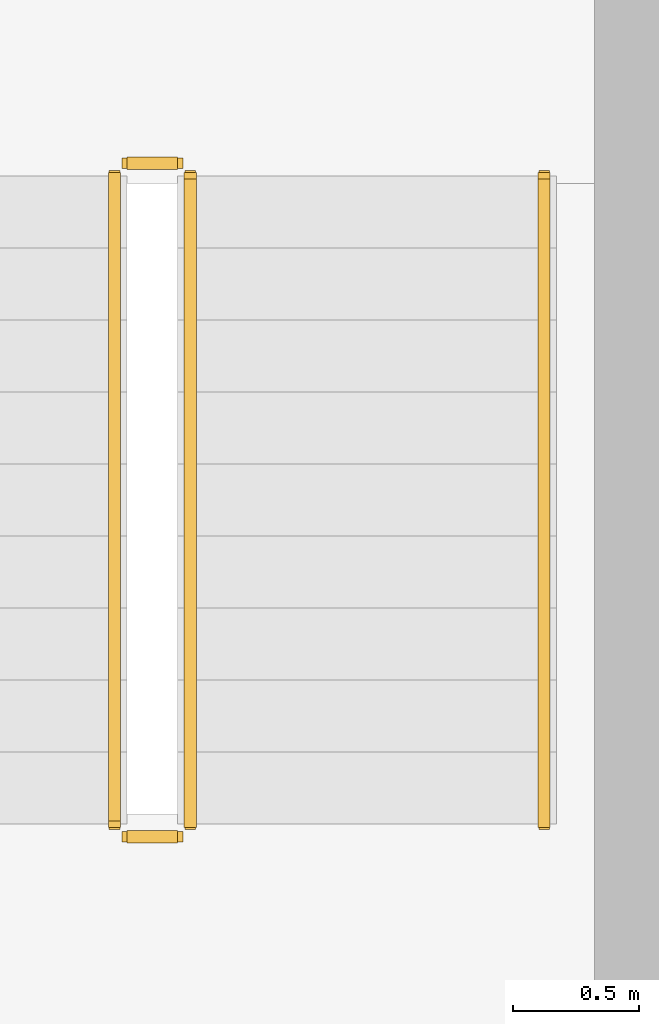
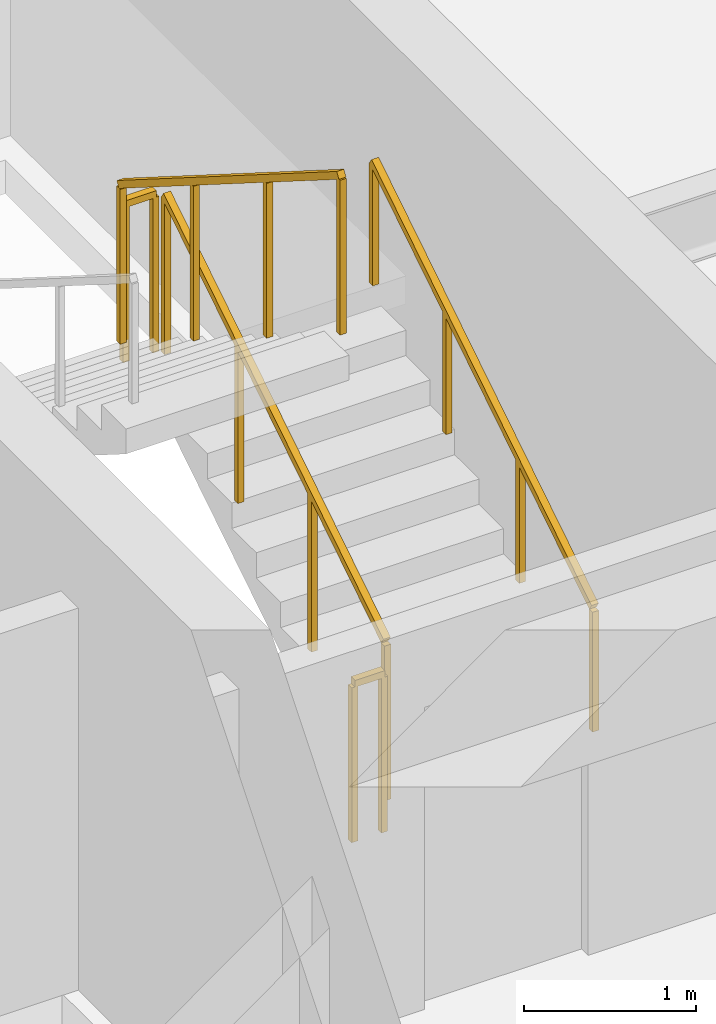
# One storey, part 23 of 23: 5 railings.
"""IFC4 building model written with IfcOpenShell, lengths in metres."""

from ifc_helpers import new_model, si_unit, direction, frame, origin, origin_2d, place, context, subcontext, project, spatial, rectangle, extrude, material, type_object, element, save


model = new_model("IFC4")

# Units and contexts
model_context = context("Model", 3, precision=1e-05, world=origin(), true_north=direction((0.0, 1.0)))
body_context = subcontext(model_context, "Body", "Model", "MODEL_VIEW")
ifc_project = project(units=[si_unit("LENGTHUNIT", "METRE"), si_unit("AREAUNIT", "SQUARE_METRE"), si_unit("VOLUMEUNIT", "CUBIC_METRE"), si_unit("PLANEANGLEUNIT", "RADIAN"), si_unit("MASSUNIT", "GRAM", prefix="KILO")], contexts=[model_context])

# Site, building, storey
site_placement = place(None, origin())
site = spatial("IfcSite", under=ifc_project, at=site_placement, CompositionType="ELEMENT")
building_placement = place(site_placement, origin())
building = spatial("IfcBuilding", under=site, at=building_placement, Name="Sarneth Arch Tower", CompositionType="ELEMENT")
storey_placement = place(building_placement, frame((0.0, 0.0, 231.60009765625)))
storey = spatial("IfcBuildingStorey", under=building, at=storey_placement, Name="L59", CompositionType="ELEMENT", Elevation=231.60009765625)

# Railings
ifc_material_1 = material(Name="Brushed Stainless Steel 304 tubular handrail", Category="steel")
railing_type_1 = type_object("IfcRailingType", Name="RAIL-HANDRAIL-900", PredefinedType="HANDRAIL", material=ifc_material_1)
railing_1_placement = place(storey_placement, frame((58.60009765625, 41.449951171875, 0.179931640625)))
element("IfcRailing", 1, at=railing_1_placement, inside=storey, type_object=railing_type_1, Name="L59 ST-2 stair handrail 1", PredefinedType="HANDRAIL", context=body_context, shape_type="SweptSolid", body=[
    extrude(rectangle(XDim=0.048095703125, YDim=0.048095703125, at=origin_2d()), frame((0.0, 0.0, 0.8759765625), z_axis=(0.0, 0.845502289212, 0.533971796014), x_axis=(-1.0, 0.0, 0.0)), (0.0, 0.0, 1.0), 3.03369140625),
    extrude(rectangle(XDim=0.0419921875, YDim=0.0419921875, at=origin_2d()), origin(), (0.0, 0.0, 1.0), 0.851806640625),
    extrude(rectangle(XDim=0.0419921875, YDim=0.0419921875, at=origin_2d()), frame((0.0, 0.85498046875, 0.5400390625)), (0.0, 0.0, 1.0), 0.851806640625),
    extrude(rectangle(XDim=0.0419921875, YDim=0.0419921875, at=origin_2d()), frame((0.0, 1.7099609375, 1.079833984375)), (0.0, 0.0, 1.0), 0.851806640625),
    extrude(rectangle(XDim=0.0419921875, YDim=0.0419921875, at=origin_2d()), frame((0.0, 2.56494140625, 1.619873046875)), (0.0, 0.0, 1.0), 0.851806640625),
])
ifc_material_2 = material(Name="Painted Steel S275 stair well guard", Category="steel")
railing_type_2 = type_object("IfcRailingType", Name="RAIL-STAIR-GUARD", PredefinedType="GUARDRAIL", material=ifc_material_2)
railing_2_placement = place(storey_placement, frame((57.199951171875, 41.449951171875, 0.179931640625)))
element("IfcRailing", 2, at=railing_2_placement, inside=storey, type_object=railing_type_2, Name="L59 ST-2 stair guard 1", PredefinedType="GUARDRAIL", context=body_context, shape_type="SweptSolid", body=[
    extrude(rectangle(XDim=0.048095703125, YDim=0.048095703125, at=origin_2d()), frame((0.0, 0.0, 1.1259765625), z_axis=(0.0, 0.845502289212, 0.533971796014), x_axis=(-1.0, 0.0, 0.0)), (0.0, 0.0, 1.0), 3.03369140625),
    extrude(rectangle(XDim=0.0419921875, YDim=0.0419921875, at=origin_2d()), origin(), (0.0, 0.0, 1.0), 1.101806640625),
    extrude(rectangle(XDim=0.0419921875, YDim=0.0419921875, at=origin_2d()), frame((0.0, 0.85498046875, 0.5400390625)), (0.0, 0.0, 1.0), 1.101806640625),
    extrude(rectangle(XDim=0.0419921875, YDim=0.0419921875, at=origin_2d()), frame((0.0, 1.7099609375, 1.079833984375)), (0.0, 0.0, 1.0), 1.101806640625),
    extrude(rectangle(XDim=0.0419921875, YDim=0.0419921875, at=origin_2d()), frame((0.0, 2.56494140625, 1.619873046875)), (0.0, 0.0, 1.0), 1.101806640625),
])
railing_3_placement = place(storey_placement, frame((57.14990234375, 44.06494140625, 1.7998046875)))
element("IfcRailing", 3, at=railing_3_placement, inside=storey, type_object=railing_type_2, Name="L59 ST-2 stair guard 2", PredefinedType="GUARDRAIL", context=body_context, shape_type="SweptSolid", body=[
    extrude(rectangle(XDim=0.048095703125, YDim=0.048095703125, at=origin_2d()), frame((0.0, 0.0, 1.1259765625), z_axis=(-1.0, 0.0, 0.0), x_axis=(0.0, -1.0, 0.0)), (0.0, 0.0, 1.0), 0.199951171875),
    extrude(rectangle(XDim=0.0419921875, YDim=0.0419921875, at=origin_2d()), origin(), (0.0, 0.0, 1.0), 1.101806640625),
    extrude(rectangle(XDim=0.0419921875, YDim=0.0419921875, at=origin_2d()), frame((-0.199951171875, 0.0, 0.0)), (0.0, 0.0, 1.0), 1.101806640625),
])
railing_4_placement = place(storey_placement, frame((56.89990234375, 44.014892578125, 1.97998046875)))
element("IfcRailing", 4, at=railing_4_placement, inside=storey, type_object=railing_type_2, Name="L59 ST-2 stair guard 3", PredefinedType="GUARDRAIL", context=body_context, shape_type="SweptSolid", body=[
    extrude(rectangle(XDim=0.048095703125, YDim=0.048095703125, at=origin_2d()), frame((0.0, 0.0, 1.1259765625), z_axis=(0.0, -0.845502289212, 0.533971796014), x_axis=(1.0, 0.0, 0.0)), (0.0, 0.0, 1.0), 3.03369140625),
    extrude(rectangle(XDim=0.0419921875, YDim=0.0419921875, at=origin_2d()), origin(), (0.0, 0.0, 1.0), 1.101806640625),
    extrude(rectangle(XDim=0.0419921875, YDim=0.0419921875, at=origin_2d()), frame((0.0, -0.85498046875, 0.5400390625)), (0.0, 0.0, 1.0), 1.101806640625),
    extrude(rectangle(XDim=0.0419921875, YDim=0.0419921875, at=origin_2d()), frame((0.0, -1.7099609375, 1.079833984375)), (0.0, 0.0, 1.0), 1.101806640625),
    extrude(rectangle(XDim=0.0419921875, YDim=0.0419921875, at=origin_2d()), frame((0.0, -2.56494140625, 1.619873046875)), (0.0, 0.0, 1.0), 1.101806640625),
])
railing_5_placement = place(storey_placement, frame((57.14990234375, 41.39990234375, 0.0)))
element("IfcRailing", 5, at=railing_5_placement, inside=storey, type_object=railing_type_2, Name="L59 ST-2 stair guard 4", PredefinedType="GUARDRAIL", context=body_context, shape_type="SweptSolid", body=[
    extrude(rectangle(XDim=0.048095703125, YDim=0.048095703125, at=origin_2d()), frame((0.0, 0.0, 1.1259765625), z_axis=(-1.0, 0.0, 0.0), x_axis=(0.0, -1.0, 0.0)), (0.0, 0.0, 1.0), 0.199951171875),
    extrude(rectangle(XDim=0.0419921875, YDim=0.0419921875, at=origin_2d()), origin(), (0.0, 0.0, 1.0), 1.101806640625),
    extrude(rectangle(XDim=0.0419921875, YDim=0.0419921875, at=origin_2d()), frame((-0.199951171875, 0.0, 0.0)), (0.0, 0.0, 1.0), 1.101806640625),
])

save(model, "model.ifc")
